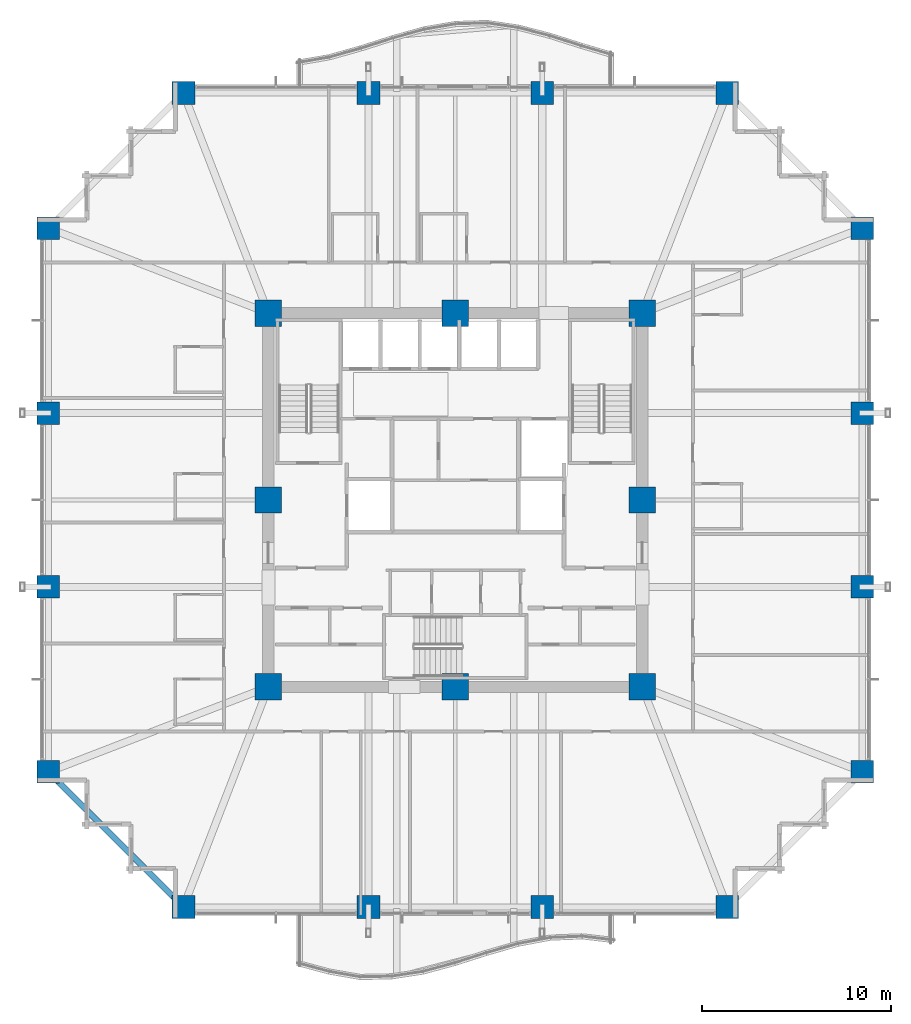
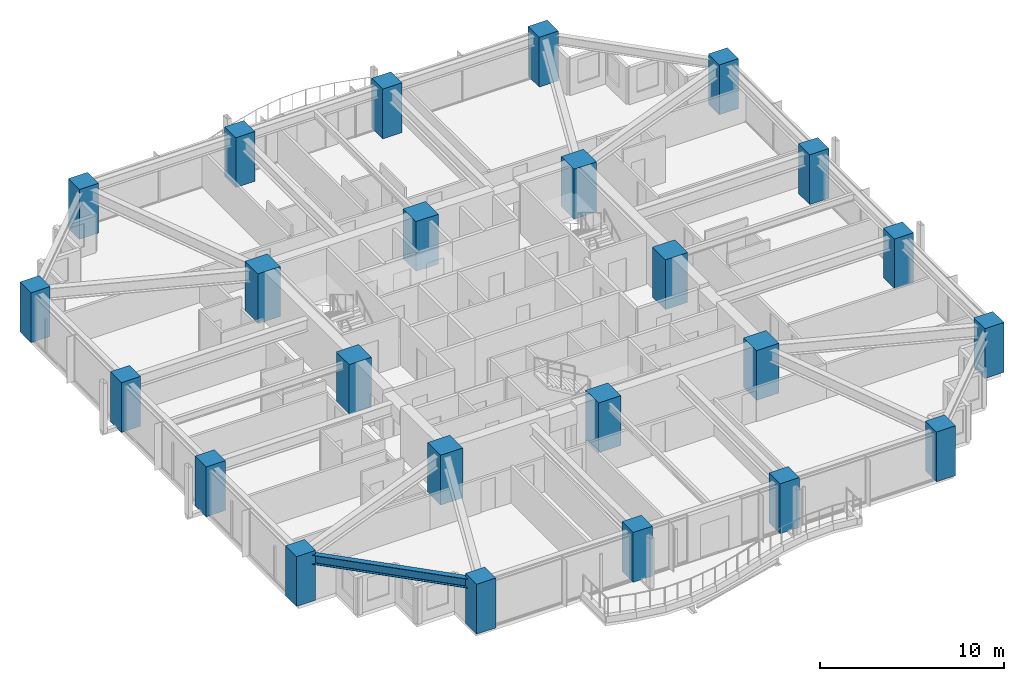
# One storey, part 1 of 38: 24 columns, 1 beam.
"""IFC4 building model written with IfcOpenShell, lengths in metres."""

from ifc_helpers import new_model, si_unit, direction, frame, origin, origin_2d, place, context, subcontext, project, spatial, rectangle, i_section, extrude, material, material_profile, profile_set, type_object, element, save


model = new_model("IFC4")

# Units and contexts
model_context = context("Model", 3, precision=1e-05, world=origin(), true_north=direction((0.0, 1.0)))
body_context = subcontext(model_context, "Body", "Model", "MODEL_VIEW")
ifc_project = project(units=[si_unit("LENGTHUNIT", "METRE"), si_unit("AREAUNIT", "SQUARE_METRE"), si_unit("VOLUMEUNIT", "CUBIC_METRE"), si_unit("PLANEANGLEUNIT", "RADIAN"), si_unit("MASSUNIT", "GRAM", prefix="KILO")], contexts=[model_context])

# Site, building, storey
site_placement = place(None, origin())
site = spatial("IfcSite", under=ifc_project, at=site_placement, CompositionType="ELEMENT")
building_placement = place(site_placement, origin())
building = spatial("IfcBuilding", under=site, at=building_placement, Name="Kolvaren Belvedere", CompositionType="ELEMENT")
storey_placement = place(building_placement, frame((0.0, 0.0, 50.199951171875)))
storey = spatial("IfcBuildingStorey", under=building, at=storey_placement, Name="L14", CompositionType="ELEMENT", Elevation=50.199951171875)

# Columns
ifc_material_1 = material(Name="Concrete C60/75", Category="concrete")
ifc_material_profile_1 = material_profile(ifc_material_1, rectangle(XDim=1.199951171875, YDim=1.199951171875, at=origin_2d()), Name="RC 1200X1200")
ifc_profile_set_1 = profile_set([ifc_material_profile_1], Name="Concrete C60/75")
column_type_1 = type_object("IfcColumnType", Name="COL-RC-1200", PredefinedType="COLUMN", material=ifc_profile_set_1)
for number, where, z_axis, x_axis, name in (
    (1, (-14.39990234375, -21.550048828125, 0.0), (0.0, 0.0, 1.0), (1.0, 0.0, 0.0), "L14 Perimeter Column S1"),
    (2, (-4.60009765625, -21.550048828125, 0.0), (0.0, 0.0, 1.0), (1.0, 0.0, 0.0), "L14 Perimeter Column S2"),
    (3, (4.60009765625, -21.550048828125, 0.0), (0.0, 0.0, 1.0), (1.0, 0.0, 0.0), "L14 Perimeter Column S3"),
    (4, (14.39990234375, -21.550048828125, 0.0), (0.0, 0.0, 1.0), (1.0, 0.0, 0.0), "L14 Perimeter Column S4"),
    (5, (-14.39990234375, 21.550048828125, 0.0), (0.0, 0.0, 1.0), (1.0, 0.0, 0.0), "L14 Perimeter Column N1"),
    (6, (-4.60009765625, 21.550048828125, 0.0), (0.0, 0.0, 1.0), (1.0, 0.0, 0.0), "L14 Perimeter Column N2"),
    (7, (4.60009765625, 21.550048828125, 0.0), (0.0, 0.0, 1.0), (1.0, 0.0, 0.0), "L14 Perimeter Column N3"),
    (8, (14.39990234375, 21.550048828125, 0.0), (0.0, 0.0, 1.0), (1.0, 0.0, 0.0), "L14 Perimeter Column N4"),
    (9, (-21.550048828125, -14.39990234375, 0.0), (0.0, 0.0, 1.0), (1.0, 0.0, 0.0), "L14 Perimeter Column W1"),
    (10, (-21.550048828125, -4.60009765625, 0.0), (0.0, 0.0, 1.0), (1.0, 0.0, 0.0), "L14 Perimeter Column W2"),
    (11, (-21.550048828125, 4.60009765625, 0.0), (0.0, 0.0, 1.0), (1.0, 0.0, 0.0), "L14 Perimeter Column W3"),
    (12, (-21.550048828125, 14.39990234375, 0.0), (0.0, 0.0, 1.0), (1.0, 0.0, 0.0), "L14 Perimeter Column W4"),
    (13, (21.550048828125, -14.39990234375, 0.0), (0.0, 0.0, 1.0), (1.0, 0.0, 0.0), "L14 Perimeter Column E1"),
    (14, (21.550048828125, -4.60009765625, 0.0), (0.0, 0.0, 1.0), (1.0, 0.0, 0.0), "L14 Perimeter Column E2"),
    (15, (21.550048828125, 4.60009765625, 0.0), (0.0, 0.0, 1.0), (1.0, 0.0, 0.0), "L14 Perimeter Column E3"),
    (16, (21.550048828125, 14.39990234375, 0.0), (0.0, 0.0, 1.0), (1.0, 0.0, 0.0), "L14 Perimeter Column E4"),
):
    element("IfcColumn", number, at=place(storey_placement, frame(where, z_axis=z_axis, x_axis=x_axis)), inside=storey, type_object=column_type_1, Name=name, PredefinedType="COLUMN", context=body_context, shape_type="SweptSolid", body=[
        extrude(rectangle(XDim=1.199951171875, YDim=1.199951171875, at=origin_2d()), origin(), (0.0, 0.0, 1.0), 3.300048828125),
    ])
ifc_material_2 = material(Name="Concrete C60/75", Category="concrete")
ifc_material_profile_2 = material_profile(ifc_material_2, rectangle(XDim=1.39990234375, YDim=1.39990234375, at=origin_2d()), Name="RC 1400X1400")
ifc_profile_set_2 = profile_set([ifc_material_profile_2], Name="Concrete C60/75")
column_type_2 = type_object("IfcColumnType", Name="COL-RC-1400", PredefinedType="COLUMN", material=ifc_profile_set_2)
for number, where, z_axis, x_axis, name in (
    (17, (-9.89990234375, -9.89990234375, 0.0), (0.0, 0.0, 1.0), (1.0, 0.0, 0.0), "L14 Core Column CC1"),
    (18, (9.89990234375, -9.89990234375, 0.0), (0.0, 0.0, 1.0), (1.0, 0.0, 0.0), "L14 Core Column CC2"),
    (19, (9.89990234375, 9.89990234375, 0.0), (0.0, 0.0, 1.0), (1.0, 0.0, 0.0), "L14 Core Column CC3"),
    (20, (-9.89990234375, 9.89990234375, 0.0), (0.0, 0.0, 1.0), (1.0, 0.0, 0.0), "L14 Core Column CC4"),
    (21, (0.0, -9.89990234375, 0.0), (0.0, 0.0, 1.0), (1.0, 0.0, 0.0), "L14 Core Column CM1"),
    (22, (9.89990234375, 0.0, 0.0), (0.0, 0.0, 1.0), (1.0, 0.0, 0.0), "L14 Core Column CM2"),
    (23, (0.0, 9.89990234375, 0.0), (0.0, 0.0, 1.0), (1.0, 0.0, 0.0), "L14 Core Column CM3"),
    (24, (-9.89990234375, 0.0, 0.0), (0.0, 0.0, 1.0), (1.0, 0.0, 0.0), "L14 Core Column CM4"),
):
    element("IfcColumn", number, at=place(storey_placement, frame(where, z_axis=z_axis, x_axis=x_axis)), inside=storey, type_object=column_type_2, Name=name, PredefinedType="COLUMN", context=body_context, shape_type="SweptSolid", body=[
        extrude(rectangle(XDim=1.39990234375, YDim=1.39990234375, at=origin_2d()), origin(), (0.0, 0.0, 1.0), 3.300048828125),
    ])

# Beam
ifc_material_3 = material(Name="Structural steel ASTM A992 Grade 50", Category="steel")
ifc_material_profile_3 = material_profile(ifc_material_3, i_section(OverallWidth=0.324951171875, OverallDepth=0.615966796875, WebThickness=0.013916015625, FlangeThickness=0.021484375, FilletRadius=0.02001953125, at=origin_2d()), Name="W24X117")
ifc_profile_set_3 = profile_set([ifc_material_profile_3], Name="Structural steel ASTM A992 Grade 50")
beam_type = type_object("IfcBeamType", Name="BM-SPAN-W24X117", PredefinedType="SPANDREL", material=ifc_profile_set_3)
beam_placement = place(storey_placement, frame((-21.359130859375, -14.5908203125, 2.751953125), z_axis=(0.707106781187, -0.707106781187, 0.0), x_axis=(0.707106781187, 0.707106781187, 0.0)))
element("IfcBeam", 25, at=beam_placement, inside=storey, type_object=beam_type, Name="L14 Perimeter Spandrel W1-S1", PredefinedType="SPANDREL", context=body_context, shape_type="SweptSolid", body=[
    extrude(i_section(OverallWidth=0.324951171875, OverallDepth=0.615966796875, WebThickness=0.013916015625, FlangeThickness=0.021484375, FilletRadius=0.02001953125, at=origin_2d()), origin(), (0.0, 0.0, 1.0), 9.57177734375),
])

save(model, "model.ifc")
